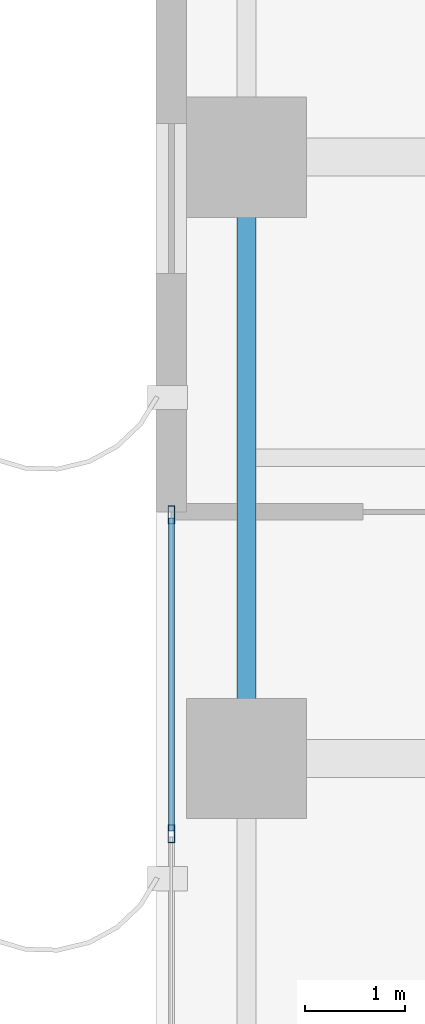
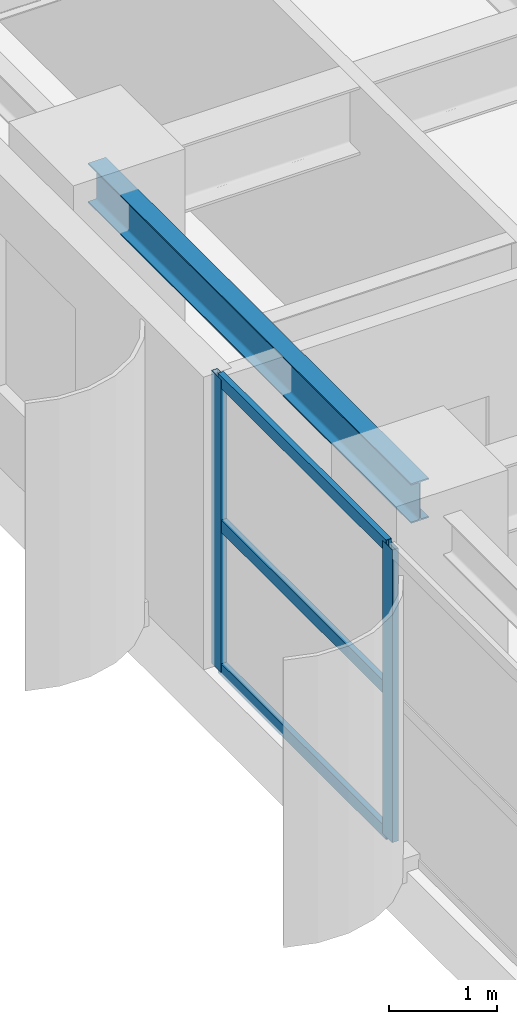
# One storey, part 5 of 21: 5 members, 1 beam, 1 element without a shape of its own.
"""IFC4 building model written with IfcOpenShell, lengths in metres."""

from ifc_helpers import new_model, si_unit, direction, frame, origin, origin_2d, place, context, subcontext, project, spatial, hollow_rectangle, i_section, extrude, source, transform, mapped, material, layer, layer_set, material_profile, profile_set, type_object, element, aggregate, save


model = new_model("IFC4")

# Units and contexts
model_context = context("Model", 3, precision=1e-05, world=origin(), true_north=direction((0.0, 1.0)))
body_context = subcontext(model_context, "Body", "Model", "MODEL_VIEW")
ifc_project = project(units=[si_unit("LENGTHUNIT", "METRE"), si_unit("AREAUNIT", "SQUARE_METRE"), si_unit("VOLUMEUNIT", "CUBIC_METRE"), si_unit("PLANEANGLEUNIT", "RADIAN"), si_unit("MASSUNIT", "GRAM", prefix="KILO")], contexts=[model_context])

# Site, building, storey
site_placement = place(None, origin())
site = spatial("IfcSite", under=ifc_project, at=site_placement, CompositionType="ELEMENT")
building_placement = place(site_placement, origin())
building = spatial("IfcBuilding", under=site, at=building_placement, Name="Khoralis Quay Care Tower", CompositionType="ELEMENT")
storey_placement = place(building_placement, frame((0.0, 0.0, 22.5)))
storey = spatial("IfcBuildingStorey", under=building, at=storey_placement, Name="L05", CompositionType="ELEMENT", Elevation=22.5)

# Beam
ifc_material_1 = material(Name="Steel S355", Category="steel")
ifc_material_profile_1 = material_profile(ifc_material_1, i_section(OverallWidth=0.18994140625, OverallDepth=0.449951171875, WebThickness=0.009521484375, FlangeThickness=0.0146484375, FilletRadius=0.02099609375, at=origin_2d()), Name="Steel S355")
ifc_profile_set_1 = profile_set([ifc_material_profile_1], Name="Steel S355")
beam_type = type_object("IfcBeamType", Name="BM-IPE450", PredefinedType="SPANDREL", material=ifc_profile_set_1)
shared_shape_1 = source(origin(), body_context, "Body", "SweptSolid", [
    extrude(i_section(OverallWidth=0.18994140625, OverallDepth=0.449951171875, WebThickness=0.009521484375, FlangeThickness=0.0146484375, FilletRadius=0.02099609375, at=origin_2d()), origin(), (0.0, 0.0, 1.0), 6.0),
])
beam_placement = place(storey_placement, frame((0.89990234375, 30.0, 3.094970703125), z_axis=(0.0, 1.0, 0.0), x_axis=(-1.0, 0.0, 0.0)))
element("IfcBeam", 1, at=beam_placement, inside=storey, type_object=beam_type, Name="BM-TSP-L05-17", PredefinedType="SPANDREL", context=body_context, shape_type="MappedRepresentation", body=[
    mapped(shared_shape_1, transform((0.0, 0.0, 0.0), scale=1.0)),
])

# Curtain wall, members
ifc_material_2 = material(Name="Pale anodised aluminium", Category="aluminium")
ifc_layer = layer(ifc_material_2, 0.179931640625)
ifc_layer_set = layer_set([ifc_layer], Name="Pale anodised aluminium")
curtain_wall_type = type_object("IfcCurtainWallType", Name="CW-SYS-Z1", PredefinedType="NOTDEFINED", material=ifc_layer_set)
curtain_wall_placement = place(storey_placement, origin())
curtain_wall = element("IfcCurtainWall", 2, at=curtain_wall_placement, inside=storey, type_object=curtain_wall_type, Name="L05 Unitised Curtain Wall CW-L05-P1-E15", PredefinedType="NOTDEFINED")
ifc_material_profile_2 = material_profile(ifc_material_2, hollow_rectangle(XDim=0.06494140625, YDim=0.179931640625, WallThickness=0.00390625, at=origin_2d()), Name="Pale anodised aluminium")
ifc_profile_set_2 = profile_set([ifc_material_profile_2], Name="Pale anodised aluminium")
member_type_1 = type_object("IfcMemberType", Name="CW-MUL-180", PredefinedType="MULLION", material=ifc_profile_set_2)
shared_shape_2 = source(origin(), body_context, "Body", "SweptSolid", [
    extrude(hollow_rectangle(XDim=0.06494140625, YDim=0.179931640625, WallThickness=0.00390625, at=origin_2d()), origin(), (0.0, 0.0, 1.0), 3.320068359375),
])
member_1_placement = place(storey_placement, frame((0.14990234375, 32.429931640625, 0.0), z_axis=(0.0, 0.0, 1.0), x_axis=(1.0, 0.0, 0.0)))
member_1 = element("IfcMember", 3, at=member_1_placement, type_object=member_type_1, Name="CW1 mullion 1", PredefinedType="MULLION", context=body_context, shape_type="MappedRepresentation", body=[
    mapped(shared_shape_2, transform((0.0, 0.0, 0.0), scale=1.0)),
])
member_2_placement = place(storey_placement, frame((0.14990234375, 29.248046875, 0.0), z_axis=(0.0, 0.0, 1.0), x_axis=(1.0, 0.0, 0.0)))
member_2 = element("IfcMember", 4, at=member_2_placement, type_object=member_type_1, Name="CW1 mullion 2", PredefinedType="MULLION", context=body_context, shape_type="MappedRepresentation", body=[
    mapped(shared_shape_2, transform((0.0, 0.0, 0.0), scale=1.0)),
])
ifc_material_profile_3 = material_profile(ifc_material_2, hollow_rectangle(XDim=0.06005859375, YDim=0.139892578125, WallThickness=0.00390625, at=origin_2d()), Name="Pale anodised aluminium")
ifc_profile_set_3 = profile_set([ifc_material_profile_3], Name="Pale anodised aluminium")
member_type_2 = type_object("IfcMemberType", Name="CW-TRN-140", PredefinedType="USERDEFINED", material=ifc_profile_set_3)
shared_shape_3 = source(origin(), body_context, "Body", "SweptSolid", [
    extrude(hollow_rectangle(XDim=0.06005859375, YDim=0.139892578125, WallThickness=0.00390625, at=origin_2d()), origin(), (0.0, 0.0, 1.0), 3.121826171875),
])
member_3_placement = place(storey_placement, frame((0.14990234375, 32.39990234375, 0.030029296875), z_axis=(0.0, -1.0, 0.0), x_axis=(1.0, 0.0, 0.0)))
member_3 = element("IfcMember", 5, at=member_3_placement, type_object=member_type_2, Name="CW1 transom 1.1", ObjectType="TRANSOM", PredefinedType="USERDEFINED", context=body_context, shape_type="MappedRepresentation", body=[
    mapped(shared_shape_3, transform((0.0, 0.0, 0.0), scale=1.0)),
])
member_4_placement = place(storey_placement, frame((0.14990234375, 32.39990234375, 1.659912109375), z_axis=(0.0, -1.0, 0.0), x_axis=(1.0, 0.0, 0.0)))
member_4 = element("IfcMember", 6, at=member_4_placement, type_object=member_type_2, Name="CW1 transom 1.2", ObjectType="TRANSOM", PredefinedType="USERDEFINED", context=body_context, shape_type="MappedRepresentation", body=[
    mapped(shared_shape_3, transform((0.0, 0.0, 0.0), scale=1.0)),
])
member_5_placement = place(storey_placement, frame((0.14990234375, 32.39990234375, 3.2900390625), z_axis=(0.0, -1.0, 0.0), x_axis=(1.0, 0.0, 0.0)))
member_5 = element("IfcMember", 7, at=member_5_placement, type_object=member_type_2, Name="CW1 transom 1.3", ObjectType="TRANSOM", PredefinedType="USERDEFINED", context=body_context, shape_type="MappedRepresentation", body=[
    mapped(shared_shape_3, transform((0.0, 0.0, 0.0), scale=1.0)),
])
aggregate(curtain_wall, [member_1, member_2, member_3, member_4, member_5])

save(model, "model.ifc")
